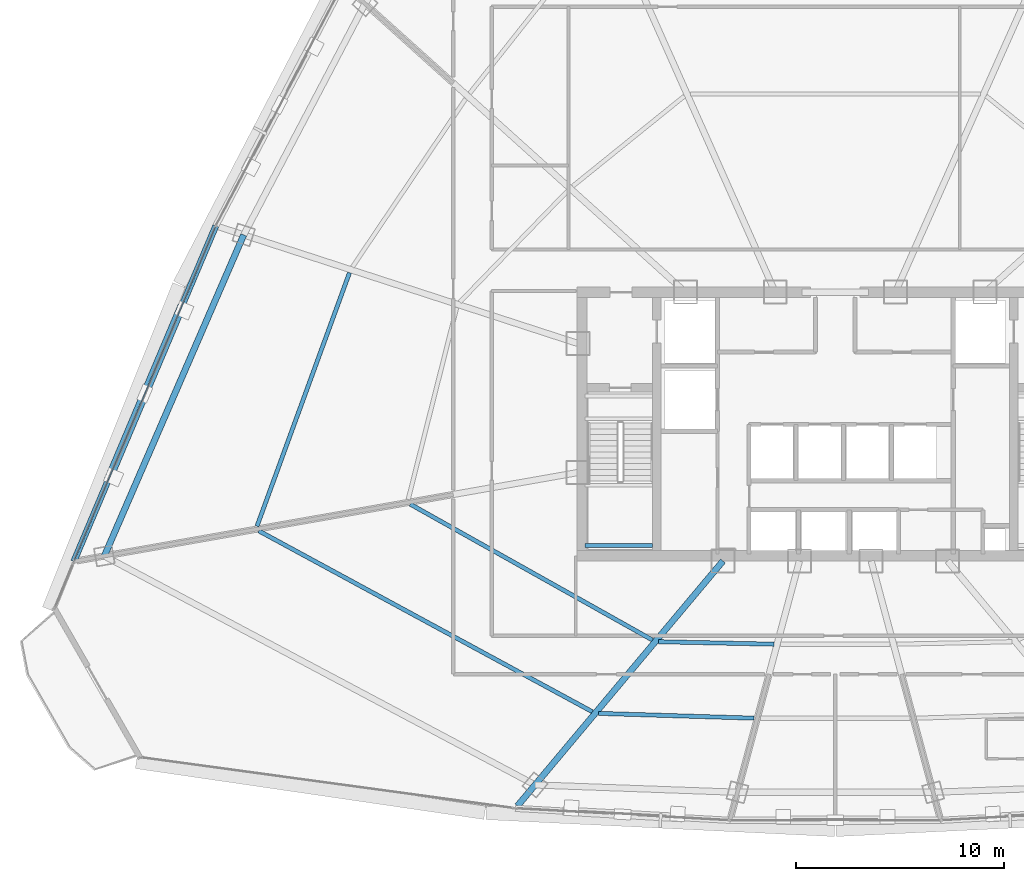
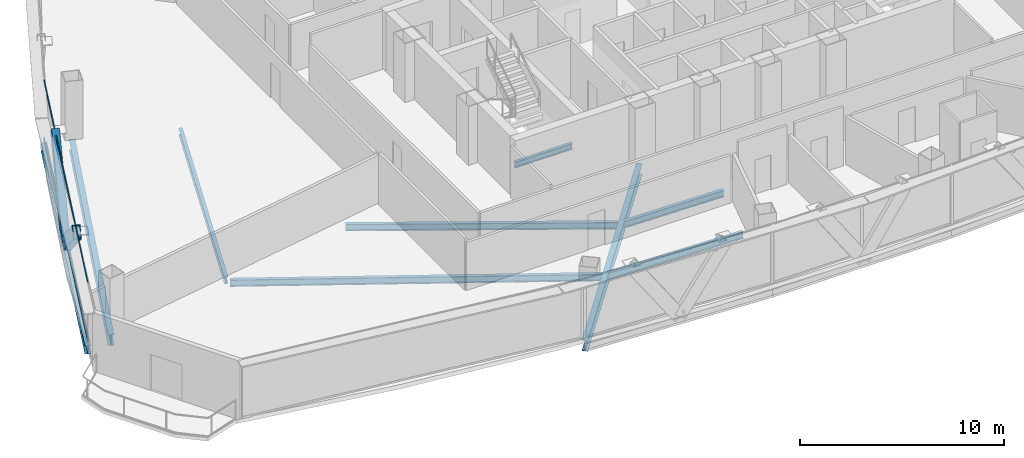
# One storey, part 7 of 36: 9 beams, 4 members, 1 element without a shape of its own.
"""IFC4 building model written with IfcOpenShell, lengths in metres."""

import ifcopenshell
import ifcopenshell.guid

model = None  # the IFC model being written
_history = None  # IfcOwnerHistory: only IFC2X3 demands one
_inside = {}  # id of a spatial element -> (the spatial element, [elements in it])
_under = {}  # id of a project, library or spatial element -> (it, [spatial elements below it])
_declared = {}  # id of a project -> (the project, [libraries it declares])
_typed = {}  # id of a type object -> (the type object, [elements of that type])
_made_of = {}  # id of a material, layer set ... -> (it, [elements and type objects made of it])


def new_model(schema):
    """Start an empty IFC model of exactly this schema.

    Asked for "IFC4X3", IfcOpenShell would pick the latest addendum, in which some entities
    have other attributes; the version numbers below select the first issue.
    IFC2X3 requires an IfcOwnerHistory on every rooted entity: one is made here for all.
    """
    global model, _history
    if schema == "IFC4X3":
        model = ifcopenshell.file(schema_version=(4, 3, 0, 0))
    else:
        model = ifcopenshell.file(schema=schema)
    _inside.clear()
    _under.clear()
    _declared.clear()
    _typed.clear()
    _made_of.clear()
    _history = None
    if model.schema == "IFC2X3":
        org = make("IfcOrganization", Name="unknown")
        user = make(
            "IfcPersonAndOrganization",
            ThePerson=make("IfcPerson", FamilyName="unknown"),
            TheOrganization=org,
        )
        app = make(
            "IfcApplication",
            ApplicationDeveloper=org,
            Version="unknown",
            ApplicationFullName="unknown",
            ApplicationIdentifier="unknown",
        )
        _history = make(
            "IfcOwnerHistory",
            OwningUser=user,
            OwningApplication=app,
            ChangeAction="ADDED",
            CreationDate=0,
        )
    return model


def make(cls, **values):
    """One entity of the class cls with the attributes given. An attribute that is None is left unset."""
    return model.create_entity(
        cls, **{name: value for name, value in values.items() if value is not None}
    )


def rooted(cls, **values):
    """An entity with a GlobalId (a new one), such as an element, a storey or a relation."""
    return make(cls, GlobalId=ifcopenshell.guid.new(), OwnerHistory=_history, **values)


def si_unit(unit_type, name, prefix=None):
    """IfcSIUnit, for example si_unit("LENGTHUNIT", "METRE", prefix="MILLI")."""
    return make("IfcSIUnit", UnitType=unit_type, Prefix=prefix, Name=name)


def assignment(units):
    """IfcUnitAssignment: the units of a project."""
    return None if units is None else make("IfcUnitAssignment", Units=units)


def point(xyz):
    """IfcCartesianPoint."""
    return None if xyz is None else make("IfcCartesianPoint", Coordinates=xyz)


def direction(xyz):
    """IfcDirection."""
    return None if xyz is None else make("IfcDirection", DirectionRatios=xyz)


def frame(location, z_axis=None, x_axis=None):
    """IfcAxis2Placement3D, a coordinate frame: its origin and axes. An axis left out is left unset."""
    return make(
        "IfcAxis2Placement3D",
        Location=point(location),
        Axis=direction(z_axis),
        RefDirection=direction(x_axis),
    )


def frame_2d(location, x_axis=None):
    """IfcAxis2Placement2D, a coordinate frame in the plane: its origin and x axis."""
    return make(
        "IfcAxis2Placement2D", Location=point(location), RefDirection=direction(x_axis)
    )


def origin():
    """The frame at (0, 0, 0) with its axes left unset."""
    return frame((0.0, 0.0, 0.0))


def origin_2d():
    """The frame at (0, 0) in the plane with its x axis left unset."""
    return frame_2d((0.0, 0.0))


def place(relative_to, where):
    """IfcLocalPlacement: puts the frame where relative to a parent placement (None: the world)."""
    return make(
        "IfcLocalPlacement", PlacementRelTo=relative_to, RelativePlacement=where
    )


def context(
    kind, dimensions, precision=None, world=None, true_north=None, identifier=None
):
    """IfcGeometricRepresentationContext, for example the 3D "Model" context."""
    return make(
        "IfcGeometricRepresentationContext",
        ContextIdentifier=identifier,
        ContextType=kind,
        CoordinateSpaceDimension=dimensions,
        Precision=precision,
        WorldCoordinateSystem=world,
        TrueNorth=true_north,
    )


def subcontext(parent, identifier, kind, view, scale=None):
    """IfcGeometricRepresentationSubContext, for example "Body" below "Model"."""
    return make(
        "IfcGeometricRepresentationSubContext",
        ContextIdentifier=identifier,
        ContextType=kind,
        ParentContext=parent,
        TargetScale=scale,
        TargetView=view,
    )


def project(units=None, contexts=None):
    """IfcProject with its units and contexts."""
    return rooted(
        "IfcProject",
        Name="project",
        RepresentationContexts=contexts,
        UnitsInContext=assignment(units),
    )


def spatial(cls, under=None, at=None, **own):
    """A site, building, storey or space (cls), placed at a placement, below another one or the project."""
    s = rooted(cls, ObjectPlacement=at, **own)
    if under is not None:
        _under.setdefault(under.id(), (under, []))[1].append(s)
    return s


def profile(cls, at=None, kind="AREA", **sizes):
    """A parametric profile (cls). Its sizes go by their IFC names, for example OverallWidth=200.0."""
    return make(cls, ProfileType=kind, Position=at, **sizes)


def hollow_rectangle(**sizes):
    """IfcRectangleHollowProfileDef."""
    return profile("IfcRectangleHollowProfileDef", **sizes)


def i_section(**sizes):
    """IfcIShapeProfileDef."""
    return profile("IfcIShapeProfileDef", **sizes)


def extrude(swept, where, along, depth):
    """IfcExtrudedAreaSolid: the profile swept, set in the frame where, extruded along a direction by depth."""
    return make(
        "IfcExtrudedAreaSolid",
        SweptArea=swept,
        Position=where,
        ExtrudedDirection=direction(along),
        Depth=depth,
    )


def shape(context_of_items, identifier, shape_type, items):
    """IfcShapeRepresentation: the items that make up one representation, for example the "Body"."""
    return make(
        "IfcShapeRepresentation",
        ContextOfItems=context_of_items,
        RepresentationIdentifier=identifier,
        RepresentationType=shape_type,
        Items=items,
    )


def source(mapping_origin, context_of_items, identifier, shape_type, items):
    """IfcRepresentationMap: a shape defined once, which mapped items show again and again."""
    return make(
        "IfcRepresentationMap",
        MappingOrigin=mapping_origin,
        MappedRepresentation=shape(context_of_items, identifier, shape_type, items),
    )


def transform(
    local_origin,
    x_axis=None,
    y_axis=None,
    z_axis=None,
    scale=None,
    scale2=None,
    scale3=None,
    uniform=True,
):
    """IfcCartesianTransformationOperator3D, or its non-uniform kind. x_axis, y_axis, z_axis: its Axis1, 2, 3."""
    if uniform:
        return make(
            "IfcCartesianTransformationOperator3D",
            Axis1=direction(x_axis),
            Axis2=direction(y_axis),
            LocalOrigin=point(local_origin),
            Scale=scale,
            Axis3=direction(z_axis),
        )
    return make(
        "IfcCartesianTransformationOperator3DnonUniform",
        Axis1=direction(x_axis),
        Axis2=direction(y_axis),
        LocalOrigin=point(local_origin),
        Scale=scale,
        Axis3=direction(z_axis),
        Scale2=scale2,
        Scale3=scale3,
    )


def mapped(mapping_source, mapping_target):
    """IfcMappedItem: shows the shape of a source again, moved by a transform."""
    return make(
        "IfcMappedItem", MappingSource=mapping_source, MappingTarget=mapping_target
    )


def material(Name=None, Category=None):
    """IfcMaterial."""
    return make("IfcMaterial", Name=Name, Category=Category)


def layer(
    of_material, thickness, ventilated=None, Name=None, Category=None, Priority=None
):
    """IfcMaterialLayer: one layer of a wall or slab, of a material (None: an air gap)."""
    return make(
        "IfcMaterialLayer",
        Material=of_material,
        LayerThickness=thickness,
        IsVentilated=ventilated,
        Name=Name,
        Category=Category,
        Priority=Priority,
    )


def layer_set(layers, Name=None):
    """IfcMaterialLayerSet."""
    return make("IfcMaterialLayerSet", MaterialLayers=layers, LayerSetName=Name)


def material_profile(
    of_material, cross_section, Name=None, Category=None, Priority=None
):
    """IfcMaterialProfile: a cross section and its material."""
    return make(
        "IfcMaterialProfile",
        Name=Name,
        Material=of_material,
        Profile=cross_section,
        Priority=Priority,
        Category=Category,
    )


def profile_set(profiles, Name=None, composite=None):
    """IfcMaterialProfileSet."""
    return make(
        "IfcMaterialProfileSet",
        Name=Name,
        MaterialProfiles=profiles,
        CompositeProfile=composite,
    )


def made_of(thing, what):
    """Note that an element or type object is made of a material, layer set ...; save() writes the relation."""
    if what is not None:
        _made_of.setdefault(what.id(), (what, []))[1].append(thing)
    return thing


def type_object(cls, material=None, **own):
    """A type object (cls), such as IfcWallType, which elements share."""
    return made_of(rooted(cls, **own), material)


def element(
    cls,
    number,
    at=None,
    inside=None,
    cuts=None,
    type_object=None,
    material=None,
    context=None,
    identifier="Body",
    shape_type=None,
    held_by="IfcProductDefinitionShape",
    body=None,
    shapes=None,
    **own,
):
    """One element of the class cls, such as IfcWall. Its Tag is "e" and its number.

    at: its placement. inside: the storey or other place that contains it. cuts: it is an
    opening in that element (IfcRelVoidsElement). A single representation is given by context,
    identifier, shape_type and body (its items); several are given by shapes. held_by: the class
    of the entity that holds the representations. save() writes the other relations.
    """
    e = rooted(cls, Tag="e%d" % number, ObjectPlacement=at, **own)
    if body is not None:
        shapes = [shape(context, identifier, shape_type, body)]
    if shapes is not None:
        e.Representation = make(held_by, Representations=shapes)
    if inside is not None:
        _inside.setdefault(inside.id(), (inside, []))[1].append(e)
    if cuts is not None:
        rooted(
            "IfcRelVoidsElement", RelatingBuildingElement=cuts, RelatedOpeningElement=e
        )
    if type_object is not None:
        _typed.setdefault(type_object.id(), (type_object, []))[1].append(e)
    return made_of(e, material)


def aggregate(whole, parts):
    """IfcRelAggregates: a whole, such as a stair, and the parts it consists of."""
    return rooted("IfcRelAggregates", RelatingObject=whole, RelatedObjects=parts)


def save(model, path):
    """Write the relations noted so far, then the file.

    IfcRelAggregates (storeys below a building ...), IfcRelContainedInSpatialStructure (elements
    in a storey), IfcRelDefinesByType, IfcRelAssociatesMaterial and IfcRelDeclares: one each for
    every whole, place, type object, material and project.
    """
    for whole, parts in _under.values():
        aggregate(whole, parts)
    for where, things in _inside.values():
        rooted(
            "IfcRelContainedInSpatialStructure",
            RelatedElements=things,
            RelatingStructure=where,
        )
    for kind, things in _typed.values():
        rooted("IfcRelDefinesByType", RelatedObjects=things, RelatingType=kind)
    for what, things in _made_of.values():
        rooted("IfcRelAssociatesMaterial", RelatedObjects=things, RelatingMaterial=what)
    for by, libraries in _declared.values():
        rooted("IfcRelDeclares", RelatingContext=by, RelatedDefinitions=libraries)
    model.write(path)


model = new_model("IFC4")

# Units and contexts
model_context = context("Model", 3, precision=1e-05, world=origin(), true_north=direction((0.0, 1.0)))
body_context = subcontext(model_context, "Body", "Model", "MODEL_VIEW")
ifc_project = project(units=[si_unit("LENGTHUNIT", "METRE"), si_unit("AREAUNIT", "SQUARE_METRE"), si_unit("VOLUMEUNIT", "CUBIC_METRE"), si_unit("PLANEANGLEUNIT", "RADIAN"), si_unit("MASSUNIT", "GRAM", prefix="KILO"), si_unit("THERMODYNAMICTEMPERATUREUNIT", "KELVIN"), si_unit("POWERUNIT", "WATT")], contexts=[model_context])

# Site, building, storey
site_placement = place(None, origin())
site = spatial("IfcSite", under=ifc_project, at=site_placement, CompositionType="ELEMENT")
building_placement = place(site_placement, origin())
building = spatial("IfcBuilding", under=site, at=building_placement, Name="Yunzhuo Pagoda Commons", CompositionType="ELEMENT")
storey_placement = place(building_placement, frame((0.0, 0.0, 215.159912109375)))
storey = spatial("IfcBuildingStorey", under=building, at=storey_placement, Name="L54", CompositionType="ELEMENT", Elevation=215.159912109375)

# Beams
ifc_material_1 = material(Name="Structural steel Q355B", Category="steel")
ifc_material_profile_1 = material_profile(ifc_material_1, i_section(OverallWidth=0.175048828125, OverallDepth=0.35009765625, WebThickness=0.007080078125, FlangeThickness=0.010986328125, at=origin_2d()), Name="Structural steel Q355B")
ifc_profile_set_1 = profile_set([ifc_material_profile_1], Name="Structural steel Q355B")
beam_type_1 = type_object("IfcBeamType", Name="B-JS2 Joist HN 350x175x7x11", PredefinedType="JOIST", material=ifc_profile_set_1)
shared_shape_1 = source(origin(), body_context, "Body", "SweptSolid", [
    extrude(i_section(OverallWidth=0.175048828125, OverallDepth=0.35009765625, WebThickness=0.007080078125, FlangeThickness=0.010986328125, at=origin_2d()), origin(), (0.0, 0.0, 1.0), 3.25),
])
beam_1_placement = place(storey_placement, frame((35.949951171875, 28.0, 1.525146484375), z_axis=(1.0, 0.0, 0.0), x_axis=(0.0, 1.0, 0.0)))
element("IfcBeam", 1, at=beam_1_placement, inside=storey, type_object=beam_type_1, Name="L54 ST1 landing support beam 60A", PredefinedType="JOIST", context=body_context, shape_type="MappedRepresentation", body=[
    mapped(shared_shape_1, transform((0.0, 0.0, 0.0), scale=1.0)),
])
ifc_material_profile_2 = material_profile(ifc_material_1, i_section(OverallWidth=0.300048828125, OverallDepth=0.64990234375, WebThickness=0.012939453125, FlangeThickness=0.02197265625, at=origin_2d()), Name="Structural steel Q355B")
ifc_profile_set_2 = profile_set([ifc_material_profile_2], Name="Structural steel Q355B")
beam_type_2 = type_object("IfcBeamType", Name="B-RG2 Beam HN 650x300x13x22", PredefinedType="BEAM", material=ifc_profile_set_2)
shared_shape_2 = source(origin(), body_context, "Body", "SweptSolid", [
    extrude(i_section(OverallWidth=0.300048828125, OverallDepth=0.64990234375, WebThickness=0.012939453125, FlangeThickness=0.02197265625, at=origin_2d()), origin(), (0.0, 0.0, 1.0), 16.859619140625),
])
beam_2_placement = place(storey_placement, frame((19.50537109375, 42.95849609375, -0.5849609375), z_axis=(-0.398104384161, -0.917340121935, 0.0), x_axis=(0.917340121935, -0.398104384161, 0.0)))
element("IfcBeam", 2, at=beam_2_placement, inside=storey, type_object=beam_type_2, Name="L54 column-ring beam 11", PredefinedType="BEAM", context=body_context, shape_type="MappedRepresentation", body=[
    mapped(shared_shape_2, transform((0.0, 0.0, 0.0), scale=1.0)),
])
ifc_material_profile_3 = material_profile(ifc_material_1, i_section(OverallWidth=0.199951171875, OverallDepth=0.39990234375, WebThickness=0.008056640625, FlangeThickness=0.012939453125, at=origin_2d()), Name="Structural steel Q355B")
ifc_profile_set_3 = profile_set([ifc_material_profile_3], Name="Structural steel Q355B")
beam_type_3 = type_object("IfcBeamType", Name="B-JS1 Joist HN 400x200x8x13", PredefinedType="JOIST", material=ifc_profile_set_3)
shared_shape_3 = source(origin(), body_context, "Body", "SweptSolid", [
    extrude(i_section(OverallWidth=0.199951171875, OverallDepth=0.39990234375, WebThickness=0.008056640625, FlangeThickness=0.012939453125, at=origin_2d()), origin(), (0.0, 0.0, 1.0), 5.550537109375),
])
beam_3_placement = place(storey_placement, frame((39.489013671875, 23.3642578125, -0.4599609375), z_axis=(0.99976582056, -0.021640333643, 0.0), x_axis=(0.021640333643, 0.99976582056, 0.0)))
element("IfcBeam", 3, at=beam_3_placement, inside=storey, type_object=beam_type_3, Name="L54 composite ring joist 1.1", PredefinedType="JOIST", context=body_context, shape_type="MappedRepresentation", body=[
    mapped(shared_shape_3, transform((0.0, 0.0, 0.0), scale=1.0)),
])
shared_shape_4 = source(origin(), body_context, "Body", "SweptSolid", [
    extrude(i_section(OverallWidth=0.199951171875, OverallDepth=0.39990234375, WebThickness=0.008056640625, FlangeThickness=0.012939453125, at=origin_2d()), origin(), (0.0, 0.0, 1.0), 7.49365234375),
])
beam_4_placement = place(storey_placement, frame((36.593505859375, 19.911865234375, -0.4599609375), z_axis=(0.99952593018, -0.030788226605, 0.0), x_axis=(0.030788226605, 0.99952593018, 0.0)))
element("IfcBeam", 4, at=beam_4_placement, inside=storey, type_object=beam_type_3, Name="L54 composite ring joist 2.1", PredefinedType="JOIST", context=body_context, shape_type="MappedRepresentation", body=[
    mapped(shared_shape_4, transform((0.0, 0.0, 0.0), scale=1.0)),
])
shared_shape_5 = source(origin(), body_context, "Body", "SweptSolid", [
    extrude(i_section(OverallWidth=0.199951171875, OverallDepth=0.39990234375, WebThickness=0.008056640625, FlangeThickness=0.012939453125, at=origin_2d()), origin(), (0.0, 0.0, 1.0), 13.372802734375),
])
beam_5_placement = place(storey_placement, frame((27.5283203125, 29.988037109375, -0.4599609375), z_axis=(0.872150261016, -0.4892381038, 0.0), x_axis=(0.4892381038, 0.872150261016, 0.0)))
element("IfcBeam", 5, at=beam_5_placement, inside=storey, type_object=beam_type_3, Name="L54 composite ring joist 1.12", PredefinedType="JOIST", context=body_context, shape_type="MappedRepresentation", body=[
    mapped(shared_shape_5, transform((0.0, 0.0, 0.0), scale=1.0)),
])
shared_shape_6 = source(origin(), body_context, "Body", "SweptSolid", [
    extrude(i_section(OverallWidth=0.199951171875, OverallDepth=0.39990234375, WebThickness=0.008056640625, FlangeThickness=0.012939453125, at=origin_2d()), origin(), (0.0, 0.0, 1.0), 18.27294921875),
])
beam_6_placement = place(storey_placement, frame((20.2314453125, 28.703125, -0.4599609375), z_axis=(0.879067821824, -0.476696721861, 0.0), x_axis=(0.476696721861, 0.879067821824, 0.0)))
element("IfcBeam", 6, at=beam_6_placement, inside=storey, type_object=beam_type_3, Name="L54 composite ring joist 2.12", PredefinedType="JOIST", context=body_context, shape_type="MappedRepresentation", body=[
    mapped(shared_shape_6, transform((0.0, 0.0, 0.0), scale=1.0)),
])
shared_shape_7 = source(origin(), body_context, "Body", "SweptSolid", [
    extrude(i_section(OverallWidth=0.199951171875, OverallDepth=0.39990234375, WebThickness=0.008056640625, FlangeThickness=0.012939453125, at=origin_2d()), origin(), (0.0, 0.0, 1.0), 12.994873046875),
])
beam_7_placement = place(storey_placement, frame((24.60107421875, 41.1357421875, -0.4599609375), z_axis=(-0.342834977914, -0.939395645039, 0.0), x_axis=(0.939395645039, -0.342834977914, 0.0)))
element("IfcBeam", 7, at=beam_7_placement, inside=storey, type_object=beam_type_3, Name="L54 composite ring joist 2.11", PredefinedType="JOIST", context=body_context, shape_type="MappedRepresentation", body=[
    mapped(shared_shape_7, transform((0.0, 0.0, 0.0), scale=1.0)),
])
shared_shape_8 = source(origin(), body_context, "Body", "SweptSolid", [
    extrude(i_section(OverallWidth=0.300048828125, OverallDepth=0.64990234375, WebThickness=0.012939453125, FlangeThickness=0.02197265625, at=origin_2d()), origin(), (0.0, 0.0, 1.0), 15.397216796875),
])
beam_8_placement = place(storey_placement, frame((32.690673828125, 15.455078125, -0.5849609375), z_axis=(0.642791504822, 0.766041174695, 0.0), x_axis=(-0.766041174695, 0.642791504822, 0.0)))
element("IfcBeam", 8, at=beam_8_placement, inside=storey, type_object=beam_type_2, Name="L54 radial floor girder F1C1", PredefinedType="BEAM", context=body_context, shape_type="MappedRepresentation", body=[
    mapped(shared_shape_8, transform((0.0, 0.0, 0.0), scale=1.0)),
])
ifc_material_profile_4 = material_profile(ifc_material_1, i_section(OverallWidth=0.300048828125, OverallDepth=0.488037109375, WebThickness=0.010986328125, FlangeThickness=0.01806640625, at=origin_2d()), Name="Structural steel Q355B")
ifc_profile_set_4 = profile_set([ifc_material_profile_4], Name="Structural steel Q355B")
beam_type_4 = type_object("IfcBeamType", Name="B-SP1 Beam HM 488x300x11x18", PredefinedType="BEAM", material=ifc_profile_set_4)
shared_shape_9 = source(origin(), body_context, "Body", "SweptSolid", [
    extrude(i_section(OverallWidth=0.300048828125, OverallDepth=0.488037109375, WebThickness=0.010986328125, FlangeThickness=0.01806640625, at=origin_2d()), origin(), (0.0, 0.0, 1.0), 17.548828125),
])
beam_9_placement = place(storey_placement, frame((18.161865234375, 43.395263671875, -0.50390625), z_axis=(-0.389608221454, -0.920980691315, 0.0), x_axis=(0.920980691315, -0.389608221454, 0.0)))
element("IfcBeam", 9, at=beam_9_placement, inside=storey, type_object=beam_type_4, Name="L54 facade edge spandrel beam F3.3", PredefinedType="BEAM", context=body_context, shape_type="MappedRepresentation", body=[
    mapped(shared_shape_9, transform((0.0, 0.0, 0.0), scale=1.0)),
])

# Members
ifc_material_profile_5 = material_profile(ifc_material_1, hollow_rectangle(XDim=0.39990234375, YDim=0.719970703125, WallThickness=0.02392578125, at=origin_2d()), Name="Structural steel Q355B")
ifc_profile_set_5 = profile_set([ifc_material_profile_5], Name="Structural steel Q355B")
member_type_1 = type_object("IfcMemberType", Name="M-DL2 Brace BOX 720x400x24", PredefinedType="BRACE", material=ifc_profile_set_5)
shared_shape_10 = source(origin(), body_context, "Body", "SweptSolid", [
    extrude(hollow_rectangle(XDim=0.39990234375, YDim=0.719970703125, WallThickness=0.02392578125, at=origin_2d()), origin(), (0.0, 0.0, 1.0), 5.790771484375),
])
member_1_placement = place(storey_placement, frame((14.7431640625, 35.314208984375, -0.260009765625), z_axis=(0.295160088045, 0.697700942302, 0.652758697786), x_axis=(-0.920977235922, 0.389616389431, 0.0)))
element("IfcMember", 10, at=member_1_placement, inside=storey, type_object=member_type_1, Name="L54 facade diamond brace F3.3L", PredefinedType="BRACE", context=body_context, shape_type="MappedRepresentation", body=[
    mapped(shared_shape_10, transform((0.0, 0.0, 0.0), scale=1.0)),
])
shared_shape_11 = source(origin(), body_context, "Body", "SweptSolid", [
    extrude(hollow_rectangle(XDim=0.39990234375, YDim=0.719970703125, WallThickness=0.02392578125, at=origin_2d()), origin(), (0.0, 0.0, 1.0), 5.791015625),
])
member_2_placement = place(storey_placement, frame((14.7431640625, 35.314208984375, -0.260009765625), z_axis=(-0.295112919497, -0.697731259667, 0.652747618938), x_axis=(0.921005649906, -0.389549217483, 0.0)))
element("IfcMember", 11, at=member_2_placement, inside=storey, type_object=member_type_1, Name="L54 facade diamond brace F3.3R", PredefinedType="BRACE", context=body_context, shape_type="MappedRepresentation", body=[
    mapped(shared_shape_11, transform((0.0, 0.0, 0.0), scale=1.0)),
])

# Curtain wall, members
ifc_material_2 = material(Name="Anodized aluminium 6063-T6", Category="aluminium")
ifc_layer = layer(ifc_material_2, 0.14990234375)
ifc_layer_set = layer_set([ifc_layer], Name="Anodized aluminium 6063-T6")
curtain_wall_type = type_object("IfcCurtainWallType", Name="CW-MID Mid-Zone Ribbon Curtain Wall", PredefinedType="NOTDEFINED", material=ifc_layer_set)
curtain_wall_placement = place(storey_placement, origin())
curtain_wall = element("IfcCurtainWall", 12, at=curtain_wall_placement, inside=storey, type_object=curtain_wall_type, Name="L54 curtain wall CW-L54-F3B4", PredefinedType="NOTDEFINED")
ifc_material_profile_6 = material_profile(ifc_material_2, hollow_rectangle(XDim=0.054931640625, YDim=0.1298828125, WallThickness=0.00341796875, at=origin_2d()), Name="Anodized aluminium 6063-T6")
ifc_profile_set_6 = profile_set([ifc_material_profile_6], Name="Anodized aluminium 6063-T6")
member_type_2 = type_object("IfcMemberType", Name="CW-MID-T Transom RHS 130x55x3.5", PredefinedType="USERDEFINED", material=ifc_profile_set_6)
shared_shape_12 = source(origin(), body_context, "Body", "SweptSolid", [
    extrude(hollow_rectangle(XDim=0.054931640625, YDim=0.1298828125, WallThickness=0.00341796875, at=origin_2d()), origin(), (0.0, 0.0, 1.0), 17.428466796875),
])
member_3_placement = place(storey_placement, frame((18.138427734375, 43.33984375, 0.027587890625), z_axis=(-0.389597034169, -0.920985423862, 0.0), x_axis=(0.920985423862, -0.389597034169, 0.0)))
member_3 = element("IfcMember", 13, at=member_3_placement, type_object=member_type_2, Name="CW transom 1.1", ObjectType="TRANSOM", PredefinedType="USERDEFINED", context=body_context, shape_type="MappedRepresentation", body=[
    mapped(shared_shape_12, transform((0.0, 0.0, 0.0), scale=1.0)),
])
member_4_placement = place(storey_placement, frame((18.138427734375, 43.33984375, 3.49267578125), z_axis=(-0.389597034169, -0.920985423862, 0.0), x_axis=(0.920985423862, -0.389597034169, 0.0)))
member_4 = element("IfcMember", 14, at=member_4_placement, type_object=member_type_2, Name="CW transom 1.2", ObjectType="TRANSOM", PredefinedType="USERDEFINED", context=body_context, shape_type="MappedRepresentation", body=[
    mapped(shared_shape_12, transform((0.0, 0.0, 0.0), scale=1.0)),
])
aggregate(curtain_wall, [member_3, member_4])

save(model, "model.ifc")
